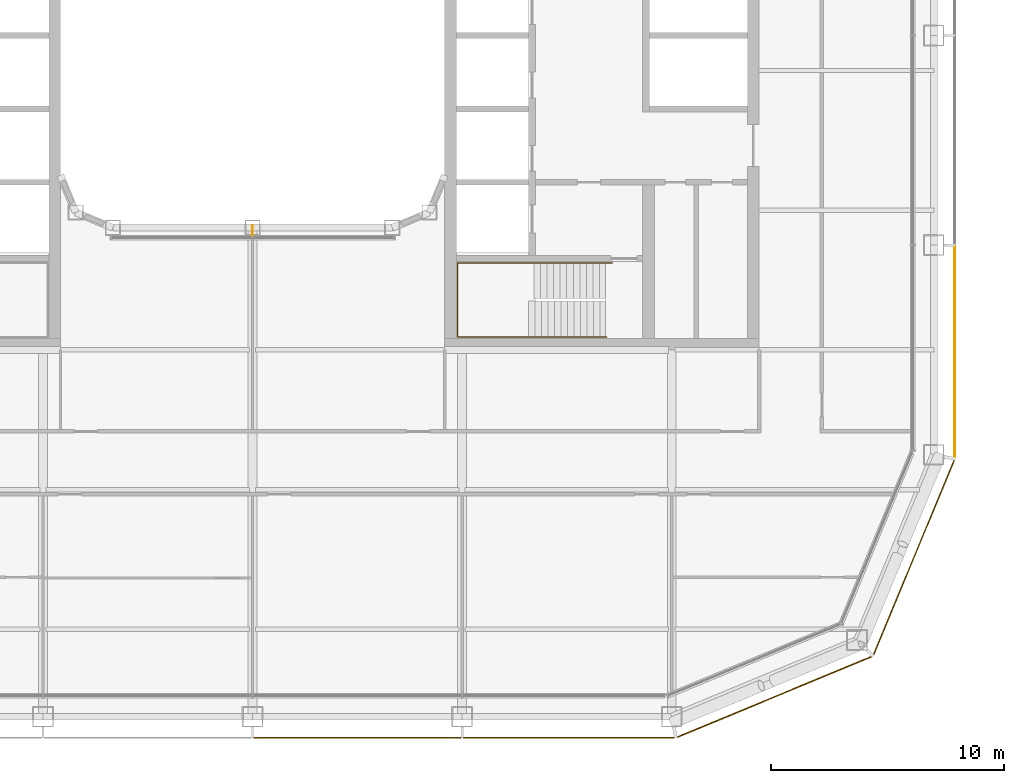
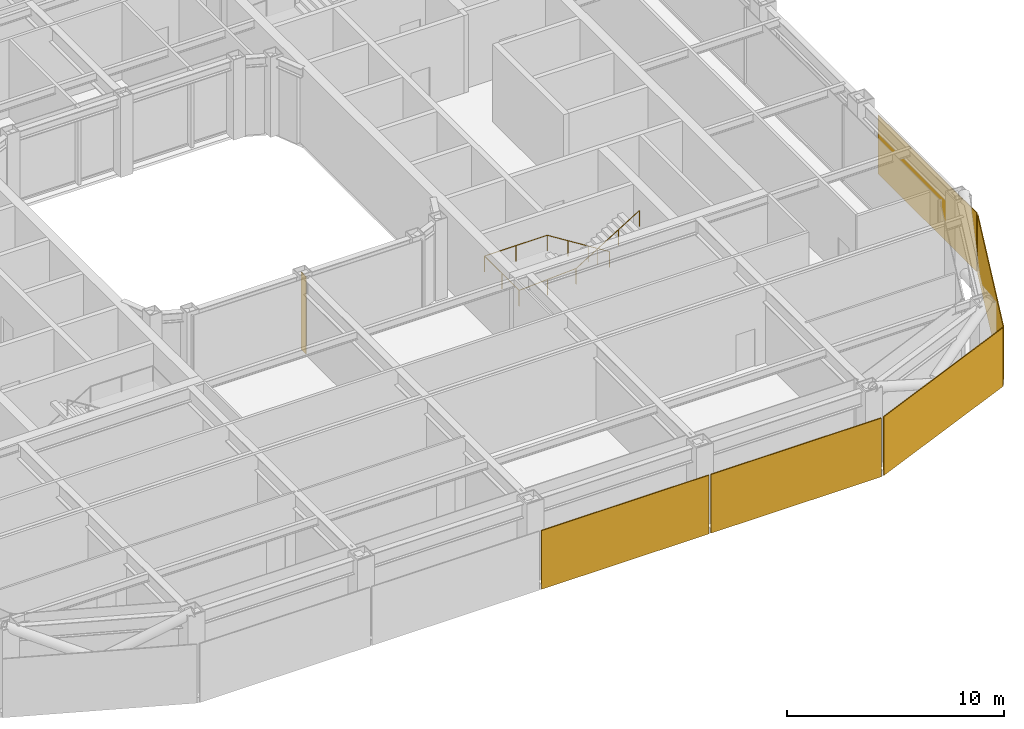
# One storey, part 20 of 24: 5 coverings, 1 railing, 1 shading device.
"""IFC4 building model written with IfcOpenShell, lengths in metres."""

from ifc_helpers import new_model, si_unit, direction, frame, origin, origin_2d, place, context, subcontext, project, spatial, rectangle, circle, extrude, material, layer, layer_set, type_object, element, save


model = new_model("IFC4")

# Units and contexts
model_context = context("Model", 3, precision=1e-05, world=origin(), true_north=direction((0.0, 1.0)))
body_context = subcontext(model_context, "Body", "Model", "MODEL_VIEW")
ifc_project = project(units=[si_unit("LENGTHUNIT", "METRE"), si_unit("AREAUNIT", "SQUARE_METRE"), si_unit("VOLUMEUNIT", "CUBIC_METRE"), si_unit("PLANEANGLEUNIT", "RADIAN"), si_unit("MASSUNIT", "GRAM", prefix="KILO")], contexts=[model_context])

# Site, building, storey
site_placement = place(None, origin())
site = spatial("IfcSite", under=ifc_project, at=site_placement, CompositionType="ELEMENT")
building_placement = place(site_placement, origin())
building = spatial("IfcBuilding", under=site, at=building_placement, Name="Siwar Civic Tower", CompositionType="ELEMENT")
storey_placement = place(building_placement, frame((0.0, 0.0, 149.699951171875)))
storey = spatial("IfcBuildingStorey", under=building, at=storey_placement, Name="L32", CompositionType="ELEMENT", Elevation=149.699951171875)

# Railing
ifc_material_1 = material(Name="Stainless steel", Category="steel")
railing_type = type_object("IfcRailingType", Name="CORE-STAIR-HANDRAIL", PredefinedType="HANDRAIL", material=ifc_material_1)
railing_placement = place(storey_placement, frame((15.449951171875, -9.758056640625, 0.173095703125)))
element("IfcRailing", 1, at=railing_placement, inside=storey, type_object=railing_type, Name="Stair handrail ST4", PredefinedType="HANDRAIL", context=body_context, shape_type="SweptSolid", body=[
    extrude(circle(Radius=0.02001953125, at=origin_2d()), frame((0.0, 0.0, 0.8798828125), z_axis=(-0.847063342986, 0.0, 0.531491950051), x_axis=(0.0, -1.0, 0.0)), (0.0, 0.0, 1.0), 3.90771484375),
    extrude(circle(Radius=0.02001953125, at=origin_2d()), frame((-3.31005859375, 0.0, 2.956787109375), z_axis=(-1.0, 0.0, 0.0), x_axis=(0.0, -1.0, 0.0)), (0.0, 0.0, 1.0), 3.331787109375),
    extrude(circle(Radius=0.02001953125, at=origin_2d()), frame((-6.641845703125, 0.0, 2.956787109375), z_axis=(0.0, -1.0, 0.0), x_axis=(1.0, 0.0, 0.0)), (0.0, 0.0, 1.0), 3.183837890625),
    extrude(circle(Radius=0.02001953125, at=origin_2d()), frame((-6.641845703125, -3.183837890625, 2.956787109375), z_axis=(0.99837434197, 0.0, 0.056997134106), x_axis=(0.0, 1.0, 0.0)), (0.0, 0.0, 1.0), 3.036865234375),
    extrude(circle(Radius=0.02001953125, at=origin_2d()), frame((-3.60986328125, -3.183837890625, 3.1298828125), z_axis=(0.850606129759, 0.0, 0.525803396734), x_axis=(0.0, 1.0, 0.0)), (0.0, 0.0, 1.0), 3.949951171875),
    extrude(circle(Radius=0.02001953125, at=origin_2d()), origin(), (0.0, 0.0, 1.0), 0.85986328125),
    extrude(circle(Radius=0.02001953125, at=origin_2d()), frame((-1.103271484375, 0.0, 0.6923828125)), (0.0, 0.0, 1.0), 0.85986328125),
    extrude(circle(Radius=0.02001953125, at=origin_2d()), frame((-2.206787109375, 0.0, 1.384521484375)), (0.0, 0.0, 1.0), 0.85986328125),
    extrude(circle(Radius=0.02001953125, at=origin_2d()), frame((-3.31005859375, 0.0, 2.076904296875)), (0.0, 0.0, 1.0), 0.85986328125),
    extrude(circle(Radius=0.02001953125, at=origin_2d()), frame((-4.97607421875, 0.0, 2.076904296875)), (0.0, 0.0, 1.0), 0.85986328125),
    extrude(circle(Radius=0.02001953125, at=origin_2d()), frame((-6.641845703125, 0.0, 2.076904296875)), (0.0, 0.0, 1.0), 0.85986328125),
    extrude(circle(Radius=0.02001953125, at=origin_2d()), frame((-6.641845703125, -1.591796875, 2.076904296875)), (0.0, 0.0, 1.0), 0.85986328125),
    extrude(circle(Radius=0.02001953125, at=origin_2d()), frame((-6.641845703125, -3.183837890625, 2.076904296875)), (0.0, 0.0, 1.0), 0.85986328125),
    extrude(circle(Radius=0.02001953125, at=origin_2d()), frame((-5.1259765625, -3.183837890625, 2.16357421875)), (0.0, 0.0, 1.0), 0.85986328125),
    extrude(circle(Radius=0.02001953125, at=origin_2d()), frame((-3.60986328125, -3.183837890625, 2.25)), (0.0, 0.0, 1.0), 0.85986328125),
    extrude(circle(Radius=0.02001953125, at=origin_2d()), frame((-2.489990234375, -3.183837890625, 2.9423828125)), (0.0, 0.0, 1.0), 0.85986328125),
    extrude(circle(Radius=0.02001953125, at=origin_2d()), frame((-1.369873046875, -3.183837890625, 3.634521484375)), (0.0, 0.0, 1.0), 0.85986328125),
    extrude(circle(Radius=0.02001953125, at=origin_2d()), frame((-0.25, -3.183837890625, 4.326904296875)), (0.0, 0.0, 1.0), 0.85986328125),
])

# Shading device
ifc_material_2 = material(Name="Aluminium 6063-T6", Category="aluminium")
ifc_layer_1 = layer(ifc_material_2, 0.02001953125)
ifc_layer_set_1 = layer_set([ifc_layer_1], Name="Aluminium 6063-T6")
shading_device_type = type_object("IfcShadingDeviceType", Name="ENV-FIN", PredefinedType="JALOUSIE", material=ifc_layer_set_1)
shading_device_placement = place(storey_placement, frame((0.0, -8.3701171875, 0.0), z_axis=(0.0, 0.0, 1.0), x_axis=(1.0, 0.0, 0.0)))
element("IfcShadingDevice", 2, at=shading_device_placement, inside=storey, type_object=shading_device_type, Name="SUNSHADE fin WS 1", PredefinedType="JALOUSIE", context=body_context, shape_type="SweptSolid", body=[
    extrude(rectangle(XDim=0.02001953125, YDim=0.449951171875, at=origin_2d()), origin(), (0.0, 0.0, 1.0), 4.35009765625),
])

# Coverings
ifc_material_3 = material(Name="Perforated aluminium cassette, pale metal", Category="aluminium")
ifc_layer_2 = layer(ifc_material_3, 0.0400390625)
ifc_layer_set_2 = layer_set([ifc_layer_2], Name="Perforated aluminium cassette, pale metal")
covering_type_1 = type_object("IfcCoveringType", Name="ENV-OUTER SKIN OS-1", PredefinedType="CLADDING", material=ifc_layer_set_2)
covering_1_placement = place(storey_placement, frame((30.14990234375, -13.57958984375, -0.14990234375), z_axis=(0.0, 0.0, 1.0), x_axis=(0.0, 1.0, 0.0)))
element("IfcCovering", 3, at=covering_1_placement, inside=storey, type_object=covering_type_1, Name="OUTER SKIN OS-1 E 1", PredefinedType="CLADDING", context=body_context, shape_type="SweptSolid", body=[
    extrude(rectangle(XDim=9.05908203125, YDim=0.0400390625, at=origin_2d()), origin(), (0.0, 0.0, 1.0), 3.300048828125),
])
ifc_material_4 = material(Name="Perforated aluminium cassette, pale metal", Category="aluminium")
ifc_layer_3 = layer(ifc_material_4, 0.044921875)
ifc_layer_set_3 = layer_set([ifc_layer_3], Name="Perforated aluminium cassette, pale metal")
covering_type_2 = type_object("IfcCoveringType", Name="ENV-OUTER SKIN OS-2", PredefinedType="CLADDING", material=ifc_layer_set_3)
covering_2_placement = place(storey_placement, frame((28.39697265625, -22.411376953125, -0.14990234375), z_axis=(0.0, 0.0, 1.0), x_axis=(0.382683432365, 0.923879532511, 0.0)))
element("IfcCovering", 4, at=covering_2_placement, inside=storey, type_object=covering_type_2, Name="OUTER SKIN OS-2 SE2 1", PredefinedType="CLADDING", context=body_context, shape_type="SweptSolid", body=[
    extrude(rectangle(XDim=9.022216796875, YDim=0.044921875, at=origin_2d()), origin(), (0.0, 0.0, 1.0), 3.300048828125),
])
ifc_material_5 = material(Name="Perforated aluminium cassette, pale metal", Category="aluminium")
ifc_layer_4 = layer(ifc_material_5, 0.050048828125)
ifc_layer_set_4 = layer_set([ifc_layer_4], Name="Perforated aluminium cassette, pale metal")
covering_type_3 = type_object("IfcCoveringType", Name="ENV-OUTER SKIN OS-3", PredefinedType="CLADDING", material=ifc_layer_set_4)
covering_3_placement = place(storey_placement, frame((22.411376953125, -28.39697265625, -0.14990234375), z_axis=(0.0, 0.0, 1.0), x_axis=(0.923879532511, 0.382683432365, 0.0)))
element("IfcCovering", 5, at=covering_3_placement, inside=storey, type_object=covering_type_3, Name="OUTER SKIN OS-3 SE1 1", PredefinedType="CLADDING", context=body_context, shape_type="SweptSolid", body=[
    extrude(rectangle(XDim=9.022216796875, YDim=0.050048828125, at=origin_2d()), origin(), (0.0, 0.0, 1.0), 3.300048828125),
])
ifc_material_6 = material(Name="Perforated aluminium cassette, pale metal", Category="aluminium")
ifc_layer_5 = layer(ifc_material_6, 0.054931640625)
ifc_layer_set_5 = layer_set([ifc_layer_5], Name="Perforated aluminium cassette, pale metal")
covering_type_4 = type_object("IfcCoveringType", Name="ENV-OUTER SKIN OS-4", PredefinedType="CLADDING", material=ifc_layer_set_5)
covering_4_placement = place(storey_placement, frame((4.5, -30.14990234375, -0.14990234375), z_axis=(0.0, 0.0, 1.0), x_axis=(1.0, 0.0, 0.0)))
element("IfcCovering", 6, at=covering_4_placement, inside=storey, type_object=covering_type_4, Name="OUTER SKIN OS-4 S 3", PredefinedType="CLADDING", context=body_context, shape_type="SweptSolid", body=[
    extrude(rectangle(XDim=8.89990234375, YDim=0.054931640625, at=origin_2d()), origin(), (0.0, 0.0, 1.0), 3.300048828125),
])
covering_5_placement = place(storey_placement, frame((13.57958984375, -30.14990234375, -0.14990234375), z_axis=(0.0, 0.0, 1.0), x_axis=(1.0, 0.0, 0.0)))
element("IfcCovering", 7, at=covering_5_placement, inside=storey, type_object=covering_type_4, Name="OUTER SKIN OS-4 S 4", PredefinedType="CLADDING", context=body_context, shape_type="SweptSolid", body=[
    extrude(rectangle(XDim=9.05908203125, YDim=0.054931640625, at=origin_2d()), origin(), (0.0, 0.0, 1.0), 3.300048828125),
])

save(model, "model.ifc")
